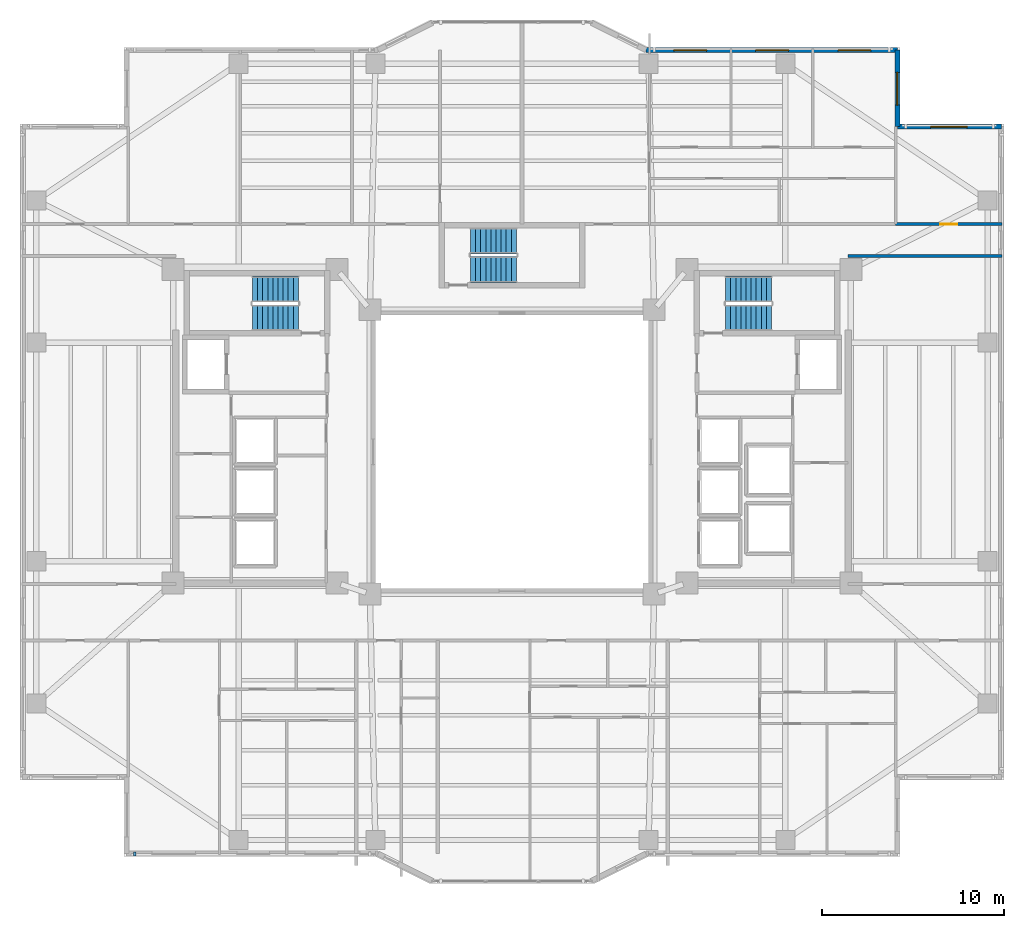
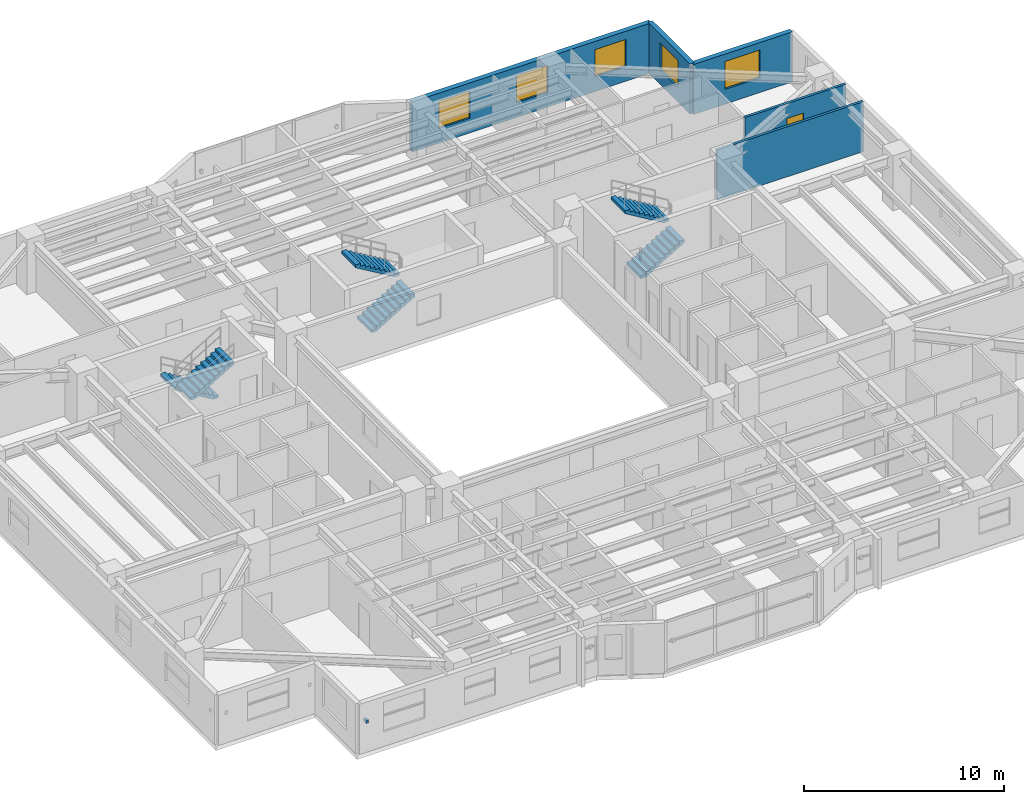
# One storey, part 11 of 18: 6 stair flights, 5 walls, 5 windows, 1 discrete accessory, 1 door, 6 openings, 3 elements without a shape of their own.
"""IFC4 building model written with IfcOpenShell, lengths in metres."""

from ifc_helpers import new_model, si_unit, direction, frame, frame_2d, origin, origin_2d, place, context, subcontext, project, spatial, polyline, rectangle, outline, extrude, material, layer, layer_set, type_object, element, fill, aggregate, save


model = new_model("IFC4")

# Units and contexts
model_context = context("Model", 3, precision=1e-05, world=origin(), true_north=direction((0.0, 1.0)))
body_context = subcontext(model_context, "Body", "Model", "MODEL_VIEW")
ifc_project = project(units=[si_unit("LENGTHUNIT", "METRE"), si_unit("AREAUNIT", "SQUARE_METRE"), si_unit("VOLUMEUNIT", "CUBIC_METRE"), si_unit("PLANEANGLEUNIT", "RADIAN"), si_unit("MASSUNIT", "GRAM", prefix="KILO")], contexts=[model_context])

# Site, building, storey
site_placement = place(None, origin())
site = spatial("IfcSite", under=ifc_project, at=site_placement, CompositionType="ELEMENT")
building_placement = place(site_placement, origin())
building = spatial("IfcBuilding", under=site, at=building_placement, Name="Tarnavaz Court Tower", CompositionType="ELEMENT")
storey_placement = place(building_placement, frame((0.0, 0.0, 115.14990234375)))
storey = spatial("IfcBuildingStorey", under=building, at=storey_placement, Name="L31", CompositionType="ELEMENT", Elevation=115.14990234375)

# Wall, openings, windows
ifc_material_1 = material(Name="Precast Concrete C40/50", Category="concrete")
ifc_layer_1 = layer(ifc_material_1, 0.280029296875)
ifc_layer_set_1 = layer_set([ifc_layer_1], Name="Precast Concrete C40/50")
wall_type_1 = type_object("IfcWallType", Name="WL-EXT-280", PredefinedType="SOLIDWALL", material=ifc_layer_set_1)
wall_1_placement = place(storey_placement, frame((7.35009765625, 22.050048828125, 0.0), z_axis=(0.0, 0.0, 1.0), x_axis=(1.0, 0.0, 0.0)))
wall_1 = element("IfcWall", 1, at=wall_1_placement, inside=storey, type_object=wall_type_1, Name="L31 Exterior Terracotta Facade Wall 09", PredefinedType="SOLIDWALL", context=body_context, shape_type="SweptSolid", body=[
    extrude(rectangle(XDim=13.7998046875, YDim=0.280029296875, at=frame_2d((6.89990234375, 0.0))), origin(), (0.0, 0.0, 1.0), 3.050048828125),
])
opening_1_placement = place(wall_1_placement, frame((1.53369140625, 0.0, 0.89990234375)))
opening_1 = element("IfcOpeningElement", 2, at=opening_1_placement, cuts=wall_1, Name="Opening W01", PredefinedType="OPENING", context=body_context, shape_type="SweptSolid", body=[
    extrude(rectangle(XDim=1.800048828125, YDim=1.64990234375, at=frame_2d((0.89990234375, 0.824951171875))), frame((0.0, 0.14990234375, 0.0), z_axis=(0.0, -1.0, 0.0), x_axis=(1.0, 0.0, 0.0)), (0.0, 0.0, 1.0), 0.300048828125),
])
opening_2_placement = place(wall_1_placement, frame((6.025146484375, 0.0, 0.89990234375)))
opening_2 = element("IfcOpeningElement", 3, at=opening_2_placement, cuts=wall_1, Name="Opening W01", PredefinedType="OPENING", context=body_context, shape_type="SweptSolid", body=[
    extrude(rectangle(XDim=1.800048828125, YDim=1.64990234375, at=frame_2d((0.89990234375, 0.824951171875))), frame((0.0, 0.14990234375, 0.0), z_axis=(0.0, -1.0, 0.0), x_axis=(1.0, 0.0, 0.0)), (0.0, 0.0, 1.0), 0.300048828125),
])
opening_3_placement = place(wall_1_placement, frame((10.54150390625, 0.0, 0.89990234375)))
opening_3 = element("IfcOpeningElement", 4, at=opening_3_placement, cuts=wall_1, Name="Opening W01", PredefinedType="OPENING", context=body_context, shape_type="SweptSolid", body=[
    extrude(rectangle(XDim=1.800048828125, YDim=1.64990234375, at=frame_2d((0.89990234375, 0.824951171875))), frame((0.0, 0.14990234375, 0.0), z_axis=(0.0, -1.0, 0.0), x_axis=(1.0, 0.0, 0.0)), (0.0, 0.0, 1.0), 0.300048828125),
])
ifc_material_2 = material(Name="Double-Glazed Solar Low-E Glass", Category="glass")
window_type_1 = type_object("IfcWindowType", Name="WN-APT-1800", PartitioningType="DOUBLE_PANEL_VERTICAL", PredefinedType="WINDOW", material=ifc_material_2)
window_1_placement = place(opening_1_placement, origin())
window_1 = element("IfcWindow", 5, at=window_1_placement, inside=storey, type_object=window_type_1, Name="L31 Flat 01 Principal Bedroom Window", OverallHeight=1.64990234375, OverallWidth=1.800048828125, PartitioningType="SINGLE_PANEL", PredefinedType="WINDOW", context=body_context, shape_type="SweptSolid", body=[
    extrude(rectangle(XDim=1.800048828125, YDim=1.64990234375, at=frame_2d((0.89990234375, 0.824951171875))), frame((0.0, 0.030029296875, 0.0), z_axis=(0.0, -1.0, 0.0), x_axis=(1.0, 0.0, 0.0)), (0.0, 0.0, 1.0), 0.06005859375),
])
fill(opening_1, window_1)
window_2_placement = place(opening_2_placement, origin())
window_2 = element("IfcWindow", 6, at=window_2_placement, inside=storey, type_object=window_type_1, Name="L31 Flat 01 Bedroom 2 Window", OverallHeight=1.64990234375, OverallWidth=1.800048828125, PartitioningType="SINGLE_PANEL", PredefinedType="WINDOW", context=body_context, shape_type="SweptSolid", body=[
    extrude(rectangle(XDim=1.800048828125, YDim=1.64990234375, at=frame_2d((0.89990234375, 0.824951171875))), frame((0.0, 0.030029296875, 0.0), z_axis=(0.0, -1.0, 0.0), x_axis=(1.0, 0.0, 0.0)), (0.0, 0.0, 1.0), 0.06005859375),
])
fill(opening_2, window_2)
window_3_placement = place(opening_3_placement, origin())
window_3 = element("IfcWindow", 7, at=window_3_placement, inside=storey, type_object=window_type_1, Name="L31 Flat 01 Bedroom 3 Window", OverallHeight=1.64990234375, OverallWidth=1.800048828125, PartitioningType="SINGLE_PANEL", PredefinedType="WINDOW", context=body_context, shape_type="SweptSolid", body=[
    extrude(rectangle(XDim=1.800048828125, YDim=1.64990234375, at=frame_2d((0.89990234375, 0.824951171875))), frame((0.0, 0.030029296875, 0.0), z_axis=(0.0, -1.0, 0.0), x_axis=(1.0, 0.0, 0.0)), (0.0, 0.0, 1.0), 0.06005859375),
])
fill(opening_3, window_3)

# Wall, opening, window
wall_2_placement = place(storey_placement, frame((21.14990234375, 22.050048828125, 0.0), z_axis=(0.0, 0.0, 1.0), x_axis=(0.0, -1.0, 0.0)))
wall_2 = element("IfcWall", 8, at=wall_2_placement, inside=storey, type_object=wall_type_1, Name="L31 Exterior Terracotta Facade Wall 10", PredefinedType="SOLIDWALL", context=body_context, shape_type="SweptSolid", body=[
    extrude(rectangle(XDim=4.199951171875, YDim=0.280029296875, at=frame_2d((2.10009765625, 0.0))), origin(), (0.0, 0.0, 1.0), 3.050048828125),
])
opening_4_placement = place(wall_2_placement, frame((1.2177734375, 0.0, 0.89990234375)))
opening_4 = element("IfcOpeningElement", 9, at=opening_4_placement, cuts=wall_2, Name="Opening W01", PredefinedType="OPENING", context=body_context, shape_type="SweptSolid", body=[
    extrude(rectangle(XDim=1.800048828125, YDim=1.64990234375, at=frame_2d((0.89990234375, 0.824951171875))), frame((0.0, 0.14990234375, 0.0), z_axis=(0.0, -1.0, 0.0), x_axis=(1.0, 0.0, 0.0)), (0.0, 0.0, 1.0), 0.300048828125),
])
window_4_placement = place(opening_4_placement, origin())
window_4 = element("IfcWindow", 10, at=window_4_placement, inside=storey, type_object=window_type_1, Name="L31 Flat 01 Bedroom 3 Window", OverallHeight=1.64990234375, OverallWidth=1.800048828125, PartitioningType="SINGLE_PANEL", PredefinedType="WINDOW", context=body_context, shape_type="SweptSolid", body=[
    extrude(rectangle(XDim=1.800048828125, YDim=1.64990234375, at=frame_2d((0.89990234375, 0.824951171875))), frame((0.0, 0.030029296875, 0.0), z_axis=(0.0, -1.0, 0.0), x_axis=(1.0, 0.0, 0.0)), (0.0, 0.0, 1.0), 0.06005859375),
])
fill(opening_4, window_4)

wall_3_placement = place(storey_placement, frame((21.14990234375, 17.85009765625, 0.0), z_axis=(0.0, 0.0, 1.0), x_axis=(1.0, 0.0, 0.0)))
wall_3 = element("IfcWall", 11, at=wall_3_placement, inside=storey, type_object=wall_type_1, Name="L31 Exterior Terracotta Facade Wall 11", PredefinedType="SOLIDWALL", context=body_context, shape_type="SweptSolid", body=[
    extrude(rectangle(XDim=5.7001953125, YDim=0.280029296875, at=frame_2d((2.85009765625, 0.0))), origin(), (0.0, 0.0, 1.0), 3.050048828125),
])
opening_5_placement = place(wall_3_placement, frame((1.824951171875, 0.0, 0.89990234375)))
opening_5 = element("IfcOpeningElement", 12, at=opening_5_placement, cuts=wall_3, Name="Opening W08", PredefinedType="OPENING", context=body_context, shape_type="SweptSolid", body=[
    extrude(rectangle(XDim=2.0, YDim=1.699951171875, at=frame_2d((1.0, 0.85009765625))), frame((0.0, 0.14990234375, 0.0), z_axis=(0.0, -1.0, 0.0), x_axis=(1.0, 0.0, 0.0)), (0.0, 0.0, 1.0), 0.300048828125),
])
window_type_2 = type_object("IfcWindowType", Name="WN-APT-2000", PartitioningType="DOUBLE_PANEL_VERTICAL", PredefinedType="WINDOW", material=ifc_material_2)
window_5_placement = place(opening_5_placement, origin())
window_5 = element("IfcWindow", 13, at=window_5_placement, inside=storey, type_object=window_type_2, Name="L31 North-East Corner Sunroom Study Window", OverallHeight=1.699951171875, OverallWidth=2.0, PartitioningType="SINGLE_PANEL", PredefinedType="WINDOW", context=body_context, shape_type="SweptSolid", body=[
    extrude(rectangle(XDim=2.0, YDim=1.699951171875, at=frame_2d((1.0, 0.85009765625))), frame((0.0, 0.030029296875, 0.0), z_axis=(0.0, -1.0, 0.0), x_axis=(1.0, 0.0, 0.0)), (0.0, 0.0, 1.0), 0.06005859375),
])
fill(opening_5, window_5)

# Wall
ifc_material_3 = material(Name="Gypsum Fire-Board on Acoustic Metal Stud", Category="masonry")
ifc_layer_2 = layer(ifc_material_3, 0.14990234375)
ifc_layer_set_2 = layer_set([ifc_layer_2], Name="Gypsum Fire-Board on Acoustic Metal Stud")
wall_type_2 = type_object("IfcWallType", Name="WL-FIRE-150", PredefinedType="PARTITIONING", material=ifc_layer_set_2)
wall_4_placement = place(storey_placement, frame((18.449951171875, 10.75, 0.0), z_axis=(0.0, 0.0, 1.0), x_axis=(1.0, 0.0, 0.0)))
element("IfcWall", 14, at=wall_4_placement, inside=storey, type_object=wall_type_2, Name="L31 Interior Partition 115", PredefinedType="PARTITIONING", context=body_context, shape_type="SweptSolid", body=[
    extrude(rectangle(XDim=8.429931640625, YDim=0.14990234375, at=frame_2d((4.21484375, 0.0))), origin(), (0.0, 0.0, 1.0), 3.050048828125),
])

# Wall, opening, door
wall_5_placement = place(storey_placement, frame((21.050048828125, 12.5, 0.0), z_axis=(0.0, 0.0, 1.0), x_axis=(1.0, 0.0, 0.0)))
wall_5 = element("IfcWall", 15, at=wall_5_placement, inside=storey, type_object=wall_type_2, Name="L31 Interior Partition 121", PredefinedType="PARTITIONING", context=body_context, shape_type="SweptSolid", body=[
    extrude(rectangle(XDim=5.829833984375, YDim=0.14990234375, at=frame_2d((2.9150390625, 0.0))), origin(), (0.0, 0.0, 1.0), 3.050048828125),
])
opening_6_placement = place(wall_5_placement, frame((2.43994140625, 0.0, 0.0)))
opening_6 = element("IfcOpeningElement", 16, at=opening_6_placement, cuts=wall_5, Name="Opening D13", PredefinedType="OPENING", context=body_context, shape_type="SweptSolid", body=[
    extrude(rectangle(XDim=0.949951171875, YDim=2.14990234375, at=frame_2d((0.47509765625, 1.074951171875))), frame((0.0, 0.0849609375, 0.0), z_axis=(0.0, -1.0, 0.0), x_axis=(1.0, 0.0, 0.0)), (0.0, 0.0, 1.0), 0.169921875),
])
ifc_material_4 = material(Name="Engineered Oak Timber", Category="wood")
door_type = type_object("IfcDoorType", Name="DR-INT-950", OperationType="NOTDEFINED", PredefinedType="DOOR", material=ifc_material_4)
door_placement = place(opening_6_placement, origin())
door = element("IfcDoor", 17, at=door_placement, inside=storey, type_object=door_type, Name="L31 NE Sunroom Door", OperationType="SINGLE_SWING_LEFT", OverallHeight=2.14990234375, OverallWidth=0.949951171875, PredefinedType="DOOR", context=body_context, shape_type="SweptSolid", body=[
    extrude(rectangle(XDim=0.949951171875, YDim=2.14990234375, at=frame_2d((0.47509765625, 1.074951171875))), frame((0.0, 0.02490234375, 0.0), z_axis=(0.0, -1.0, 0.0), x_axis=(1.0, 0.0, 0.0)), (0.0, 0.0, 1.0), 0.050048828125),
])
fill(opening_6, door)

# Stair, stair flights
ifc_material_5 = material(Name="Concrete C40/50", Category="concrete")
stair_type = type_object("IfcStairType", Name="ST-TWR-20R", PredefinedType="HALF_TURN_STAIR", material=ifc_material_5)
stair_1_placement = place(storey_placement, origin())
stair_1 = element("IfcStair", 18, at=stair_1_placement, inside=storey, type_object=stair_type, Name="L31 West Core Pressurized Exit Stair ST-W1", PredefinedType="HALF_TURN_STAIR")
stair_flight_type = type_object("IfcStairFlightType", Name="SFL-RC-20R", PredefinedType="STRAIGHT", material=ifc_material_5)
stair_flight_1_placement = place(storey_placement, frame((-11.719970703125, 8.929931640625, 0.0), z_axis=(0.0, 0.0, 1.0), x_axis=(-1.0, 0.0, 0.0)))
stair_flight_1 = element("IfcStairFlight", 19, at=stair_flight_1_placement, type_object=stair_flight_type, Name="ST-W1 flight 1", NumberOfRisers=10, NumberOfTreads=9, PredefinedType="STRAIGHT", RiserHeight=0.1675, TreadLength=0.28, context=body_context, shape_type="SweptSolid", body=[
    extrude(outline(polyline([(0.0, 0.0), (0.0, 0.16748046875), (0.280029296875, 0.16748046875), (0.280029296875, 0.3349609375), (0.56005859375, 0.3349609375), (0.56005859375, 0.50244140625), (0.840087890625, 0.50244140625), (0.840087890625, 0.669921875), (1.1201171875, 0.669921875), (1.1201171875, 0.83740234375), (1.39990234375, 0.83740234375), (1.39990234375, 1.0048828125), (1.679931640625, 1.0048828125), (1.679931640625, 1.172607421875), (1.9599609375, 1.172607421875), (1.9599609375, 1.340087890625), (2.239990234375, 1.340087890625), (2.239990234375, 1.507568359375), (2.52001953125, 1.507568359375), (2.52001953125, 1.675048828125), (2.52001953125, 1.332763671875), (0.2919921875, 0.0), (0.0, 0.0)])), frame((0.0, 0.7099609375, 0.0), z_axis=(0.0, -1.0, 0.0), x_axis=(1.0, 0.0, 0.0)), (0.0, 0.0, 1.0), 1.419921875),
])
stair_flight_2_placement = place(storey_placement, frame((-14.239990234375, 7.360107421875, 1.675048828125), z_axis=(0.0, 0.0, 1.0), x_axis=(1.0, 0.0, 0.0)))
stair_flight_2 = element("IfcStairFlight", 20, at=stair_flight_2_placement, type_object=stair_flight_type, Name="ST-W1 flight 2", NumberOfRisers=10, NumberOfTreads=9, PredefinedType="STRAIGHT", RiserHeight=0.1675, TreadLength=0.28, context=body_context, shape_type="SweptSolid", body=[
    extrude(outline(polyline([(0.0, 0.0), (0.0, 0.16748046875), (0.280029296875, 0.16748046875), (0.280029296875, 0.3349609375), (0.56005859375, 0.3349609375), (0.56005859375, 0.50244140625), (0.840087890625, 0.50244140625), (0.840087890625, 0.669921875), (1.1201171875, 0.669921875), (1.1201171875, 0.83740234375), (1.39990234375, 0.83740234375), (1.39990234375, 1.0048828125), (1.679931640625, 1.0048828125), (1.679931640625, 1.172607421875), (1.9599609375, 1.172607421875), (1.9599609375, 1.340087890625), (2.239990234375, 1.340087890625), (2.239990234375, 1.507568359375), (2.52001953125, 1.507568359375), (2.52001953125, 1.675048828125), (2.52001953125, 1.332763671875), (0.2919921875, 0.0), (0.0, 0.0)])), frame((0.0, 0.7099609375, 0.0), z_axis=(0.0, -1.0, 0.0), x_axis=(1.0, 0.0, 0.0)), (0.0, 0.0, 1.0), 1.419921875),
])
aggregate(stair_1, [stair_flight_1, stair_flight_2])

stair_2_placement = place(storey_placement, origin())
stair_2 = element("IfcStair", 21, at=stair_2_placement, inside=storey, type_object=stair_type, Name="L31 East Core Pressurized Exit Stair ST-E1", PredefinedType="HALF_TURN_STAIR")
stair_flight_3_placement = place(storey_placement, frame((11.719970703125, 7.360107421875, 0.0), z_axis=(0.0, 0.0, 1.0), x_axis=(1.0, 0.0, 0.0)))
stair_flight_3 = element("IfcStairFlight", 22, at=stair_flight_3_placement, type_object=stair_flight_type, Name="ST-E1 flight 1", NumberOfRisers=10, NumberOfTreads=9, PredefinedType="STRAIGHT", RiserHeight=0.1675, TreadLength=0.28, context=body_context, shape_type="SweptSolid", body=[
    extrude(outline(polyline([(0.0, 0.0), (0.0, 0.16748046875), (0.280029296875, 0.16748046875), (0.280029296875, 0.3349609375), (0.56005859375, 0.3349609375), (0.56005859375, 0.50244140625), (0.840087890625, 0.50244140625), (0.840087890625, 0.669921875), (1.1201171875, 0.669921875), (1.1201171875, 0.83740234375), (1.39990234375, 0.83740234375), (1.39990234375, 1.0048828125), (1.679931640625, 1.0048828125), (1.679931640625, 1.172607421875), (1.9599609375, 1.172607421875), (1.9599609375, 1.340087890625), (2.239990234375, 1.340087890625), (2.239990234375, 1.507568359375), (2.52001953125, 1.507568359375), (2.52001953125, 1.675048828125), (2.52001953125, 1.332763671875), (0.2919921875, 0.0), (0.0, 0.0)])), frame((0.0, 0.7099609375, 0.0), z_axis=(0.0, -1.0, 0.0), x_axis=(1.0, 0.0, 0.0)), (0.0, 0.0, 1.0), 1.419921875),
])
stair_flight_4_placement = place(storey_placement, frame((14.239990234375, 8.929931640625, 1.675048828125), z_axis=(0.0, 0.0, 1.0), x_axis=(-1.0, 0.0, 0.0)))
stair_flight_4 = element("IfcStairFlight", 23, at=stair_flight_4_placement, type_object=stair_flight_type, Name="ST-E1 flight 2", NumberOfRisers=10, NumberOfTreads=9, PredefinedType="STRAIGHT", RiserHeight=0.1675, TreadLength=0.28, context=body_context, shape_type="SweptSolid", body=[
    extrude(outline(polyline([(0.0, 0.0), (0.0, 0.16748046875), (0.280029296875, 0.16748046875), (0.280029296875, 0.3349609375), (0.56005859375, 0.3349609375), (0.56005859375, 0.50244140625), (0.840087890625, 0.50244140625), (0.840087890625, 0.669921875), (1.1201171875, 0.669921875), (1.1201171875, 0.83740234375), (1.39990234375, 0.83740234375), (1.39990234375, 1.0048828125), (1.679931640625, 1.0048828125), (1.679931640625, 1.172607421875), (1.9599609375, 1.172607421875), (1.9599609375, 1.340087890625), (2.239990234375, 1.340087890625), (2.239990234375, 1.507568359375), (2.52001953125, 1.507568359375), (2.52001953125, 1.675048828125), (2.52001953125, 1.332763671875), (0.2919921875, 0.0), (0.0, 0.0)])), frame((0.0, 0.7099609375, 0.0), z_axis=(0.0, -1.0, 0.0), x_axis=(1.0, 0.0, 0.0)), (0.0, 0.0, 1.0), 1.419921875),
])
aggregate(stair_2, [stair_flight_3, stair_flight_4])

stair_3_placement = place(storey_placement, origin())
stair_3 = element("IfcStair", 24, at=stair_3_placement, inside=storey, type_object=stair_type, Name="L31 North Ring Pressurized Exit Stair ST-N1", PredefinedType="HALF_TURN_STAIR")
stair_flight_5_placement = place(storey_placement, frame((-2.280029296875, 10.010009765625, 0.0), z_axis=(0.0, 0.0, 1.0), x_axis=(1.0, 0.0, 0.0)))
stair_flight_5 = element("IfcStairFlight", 25, at=stair_flight_5_placement, type_object=stair_flight_type, Name="ST-N1 flight 1", NumberOfRisers=10, NumberOfTreads=9, PredefinedType="STRAIGHT", RiserHeight=0.1675, TreadLength=0.28, context=body_context, shape_type="SweptSolid", body=[
    extrude(outline(polyline([(0.0, 0.0), (0.0, 0.16748046875), (0.280029296875, 0.16748046875), (0.280029296875, 0.3349609375), (0.56005859375, 0.3349609375), (0.56005859375, 0.50244140625), (0.840087890625, 0.50244140625), (0.840087890625, 0.669921875), (1.1201171875, 0.669921875), (1.1201171875, 0.83740234375), (1.39990234375, 0.83740234375), (1.39990234375, 1.0048828125), (1.679931640625, 1.0048828125), (1.679931640625, 1.172607421875), (1.9599609375, 1.172607421875), (1.9599609375, 1.340087890625), (2.239990234375, 1.340087890625), (2.239990234375, 1.507568359375), (2.52001953125, 1.507568359375), (2.52001953125, 1.675048828125), (2.52001953125, 1.332763671875), (0.2919921875, 0.0), (0.0, 0.0)])), frame((0.0, 0.7099609375, 0.0), z_axis=(0.0, -1.0, 0.0), x_axis=(1.0, 0.0, 0.0)), (0.0, 0.0, 1.0), 1.419921875),
])
stair_flight_6_placement = place(storey_placement, frame((0.239990234375, 11.580078125, 1.675048828125), z_axis=(0.0, 0.0, 1.0), x_axis=(-1.0, 0.0, 0.0)))
stair_flight_6 = element("IfcStairFlight", 26, at=stair_flight_6_placement, type_object=stair_flight_type, Name="ST-N1 flight 2", NumberOfRisers=10, NumberOfTreads=9, PredefinedType="STRAIGHT", RiserHeight=0.1675, TreadLength=0.28, context=body_context, shape_type="SweptSolid", body=[
    extrude(outline(polyline([(0.0, 0.0), (0.0, 0.16748046875), (0.280029296875, 0.16748046875), (0.280029296875, 0.3349609375), (0.56005859375, 0.3349609375), (0.56005859375, 0.50244140625), (0.840087890625, 0.50244140625), (0.840087890625, 0.669921875), (1.1201171875, 0.669921875), (1.1201171875, 0.83740234375), (1.39990234375, 0.83740234375), (1.39990234375, 1.0048828125), (1.679931640625, 1.0048828125), (1.679931640625, 1.172607421875), (1.9599609375, 1.172607421875), (1.9599609375, 1.340087890625), (2.239990234375, 1.340087890625), (2.239990234375, 1.507568359375), (2.52001953125, 1.507568359375), (2.52001953125, 1.675048828125), (2.52001953125, 1.332763671875), (0.2919921875, 0.0), (0.0, 0.0)])), frame((0.0, 0.7099609375, 0.0), z_axis=(0.0, -1.0, 0.0), x_axis=(1.0, 0.0, 0.0)), (0.0, 0.0, 1.0), 1.419921875),
])
aggregate(stair_3, [stair_flight_5, stair_flight_6])

# Discrete accessory
ifc_material_6 = material(Name="Anodised Aluminium 6063-T6", Category="aluminium")
discrete_accessory_type = type_object("IfcDiscreteAccessoryType", Name="DA-BRKT-ALU", PredefinedType="BRACKET", material=ifc_material_6)
discrete_accessory_placement = place(storey_placement, frame((-20.699951171875, -22.070068359375, 1.75), z_axis=(0.0, 0.0, 1.0), x_axis=(-1.0, 0.0, 0.0)))
element("IfcDiscreteAccessory", 27, at=discrete_accessory_placement, inside=storey, type_object=discrete_accessory_type, Name="L31 Baguette Outrigger Bracket FBG19-2", PredefinedType="BRACKET", context=body_context, shape_type="SweptSolid", body=[
    extrude(rectangle(XDim=0.139892578125, YDim=0.239990234375, at=origin_2d()), origin(), (0.0, 0.0, 1.0), 0.199951171875),
])

save(model, "model.ifc")
